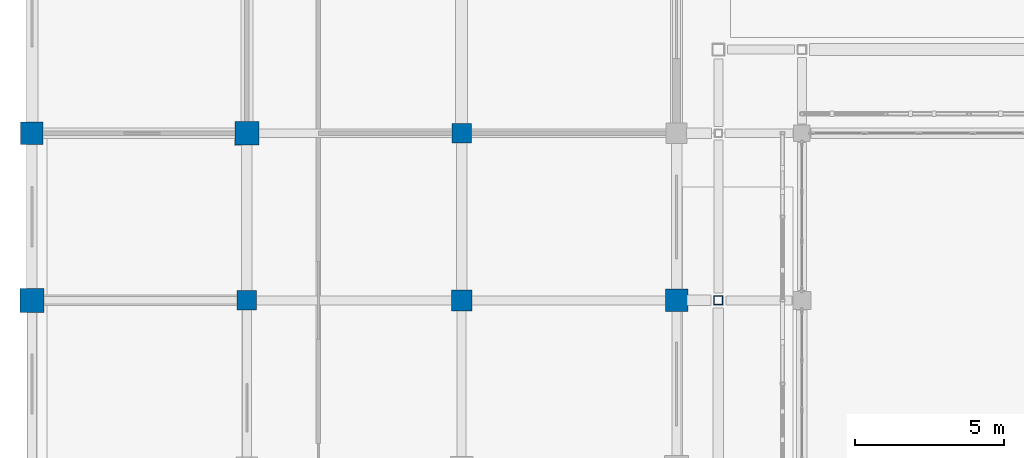
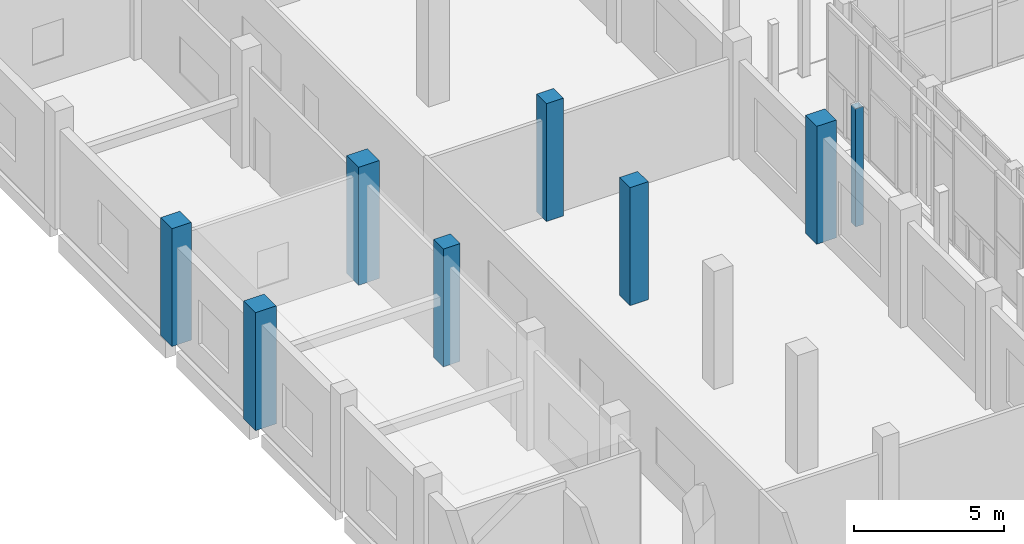
# One storey, part 9 of 91: 8 columns.
"""IFC4 building model written with IfcOpenShell, lengths in metres."""

from ifc_helpers import new_model, si_unit, direction, frame, origin, origin_2d, place, context, subcontext, project, spatial, rectangle, hollow_rectangle, extrude, material, material_profile, profile_set, type_object, element, save


model = new_model("IFC4")

# Units and contexts
model_context = context("Model", 3, precision=1e-05, world=origin(), true_north=direction((0.0, 1.0)))
body_context = subcontext(model_context, "Body", "Model", "MODEL_VIEW")
ifc_project = project(units=[si_unit("LENGTHUNIT", "METRE"), si_unit("AREAUNIT", "SQUARE_METRE"), si_unit("VOLUMEUNIT", "CUBIC_METRE"), si_unit("PLANEANGLEUNIT", "RADIAN"), si_unit("MASSUNIT", "GRAM", prefix="KILO")], contexts=[model_context])

# Site, building, storey
site_placement = place(None, origin())
site = spatial("IfcSite", under=ifc_project, at=site_placement, CompositionType="ELEMENT")
building_placement = place(site_placement, origin())
building = spatial("IfcBuilding", under=site, at=building_placement, Name="Vinh Khe Railworks Police Headquarters", CompositionType="ELEMENT")
storey_placement = place(building_placement, origin())
storey = spatial("IfcBuildingStorey", under=building, at=storey_placement, Name="L00", CompositionType="ELEMENT", Elevation=0.0)

# Columns
ifc_material_1 = material(Name="Concrete C40/50 (B40)", Category="concrete")
ifc_material_profile_1 = material_profile(ifc_material_1, rectangle(XDim=0.64990234375, YDim=0.64990234375, at=origin_2d()), Name="RC 650x650")
ifc_profile_set_1 = profile_set([ifc_material_profile_1], Name="Concrete C40/50 (B40)")
column_type_1 = type_object("IfcColumnType", Name="RC Column RC 650x650", PredefinedType="COLUMN", material=ifc_profile_set_1)
for number, where, z_axis, x_axis, name in (
    (1, (7.800048828125, 53.199951171875, 0.0), (0.0, 0.0, 1.0), (1.0, 0.0, 0.0), "Column COL-L00-CC-04-0235"),
    (2, (15.0, 58.800048828125, 0.0), (0.0, 0.0, 1.0), (1.0, 0.0, 0.0), "Column COL-L00-CC-04-0412"),
):
    element("IfcColumn", number, at=place(storey_placement, frame(where, z_axis=z_axis, x_axis=x_axis)), inside=storey, type_object=column_type_1, Name=name, PredefinedType="COLUMN", context=body_context, shape_type="SweptSolid", body=[
        extrude(rectangle(XDim=0.64990234375, YDim=0.64990234375, at=origin_2d()), origin(), (0.0, 0.0, 1.0), 4.800048828125),
    ])
ifc_material_profile_2 = material_profile(ifc_material_1, rectangle(XDim=0.699951171875, YDim=0.699951171875, at=origin_2d()), Name="RC 700x700")
ifc_profile_set_2 = profile_set([ifc_material_profile_2], Name="Concrete C40/50 (B40)")
column_type_2 = type_object("IfcColumnType", Name="RC Column RC 700x700", PredefinedType="COLUMN", material=ifc_profile_set_2)
column_1_placement = place(storey_placement, frame((15.0, 53.199951171875, 0.0), z_axis=(0.0, 0.0, 1.0), x_axis=(1.0, 0.0, 0.0)))
element("IfcColumn", 3, at=column_1_placement, inside=storey, type_object=column_type_2, Name="Column COL-L00-CC-03-0402", PredefinedType="COLUMN", context=body_context, shape_type="SweptSolid", body=[
    extrude(rectangle(XDim=0.699951171875, YDim=0.699951171875, at=origin_2d()), origin(), (0.0, 0.0, 1.0), 4.800048828125),
])
ifc_material_profile_3 = material_profile(ifc_material_1, rectangle(XDim=0.75, YDim=0.75, at=origin_2d()), Name="RC 750x750")
ifc_profile_set_3 = profile_set([ifc_material_profile_3], Name="Concrete C40/50 (B40)")
column_type_3 = type_object("IfcColumnType", Name="RC Column RC 750x750", PredefinedType="COLUMN", material=ifc_profile_set_3)
for number, where, z_axis, x_axis, name in (
    (4, (0.60009765625, 58.800048828125, 0.0), (0.0, 0.0, 1.0), (1.0, 0.0, 0.0), "Column COL-L00-CC-02-0078"),
    (5, (22.199951171875, 53.199951171875, 0.0), (0.0, 0.0, 1.0), (1.0, 0.0, 0.0), "Column COL-L00-CC-02-0563"),
):
    element("IfcColumn", number, at=place(storey_placement, frame(where, z_axis=z_axis, x_axis=x_axis)), inside=storey, type_object=column_type_3, Name=name, PredefinedType="COLUMN", context=body_context, shape_type="SweptSolid", body=[
        extrude(rectangle(XDim=0.75, YDim=0.75, at=origin_2d()), origin(), (0.0, 0.0, 1.0), 4.800048828125),
    ])
ifc_material_profile_4 = material_profile(ifc_material_1, rectangle(XDim=0.800048828125, YDim=0.800048828125, at=origin_2d()), Name="RC 800x800")
ifc_profile_set_4 = profile_set([ifc_material_profile_4], Name="Concrete C40/50 (B40)")
column_type_4 = type_object("IfcColumnType", Name="RC Column RC 800x800", PredefinedType="COLUMN", material=ifc_profile_set_4)
for number, where, z_axis, x_axis, name in (
    (6, (0.60009765625, 53.199951171875, 0.0), (0.0, 0.0, 1.0), (1.0, 0.0, 0.0), "Column COL-L00-CC-01-0068"),
    (7, (7.800048828125, 58.800048828125, 0.0), (0.0, 0.0, 1.0), (1.0, 0.0, 0.0), "Column COL-L00-CC-01-0245"),
):
    element("IfcColumn", number, at=place(storey_placement, frame(where, z_axis=z_axis, x_axis=x_axis)), inside=storey, type_object=column_type_4, Name=name, PredefinedType="COLUMN", context=body_context, shape_type="SweptSolid", body=[
        extrude(rectangle(XDim=0.800048828125, YDim=0.800048828125, at=origin_2d()), origin(), (0.0, 0.0, 1.0), 4.800048828125),
    ])
ifc_material_2 = material(Name="Steel S355JR", Category="steel")
ifc_material_profile_5 = material_profile(ifc_material_2, hollow_rectangle(XDim=0.300048828125, YDim=0.300048828125, WallThickness=0.01611328125, at=origin_2d()), Name="SHS 300x300x16")
ifc_profile_set_5 = profile_set([ifc_material_profile_5], Name="Steel S355JR")
column_type_5 = type_object("IfcColumnType", Name="Steel Column SHS 300x300x16", PredefinedType="COLUMN", material=ifc_profile_set_5)
column_2_placement = place(storey_placement, frame((23.60009765625, 53.199951171875, 0.0), z_axis=(0.0, 0.0, 1.0), x_axis=(1.0, 0.0, 0.0)))
element("IfcColumn", 8, at=column_2_placement, inside=storey, type_object=column_type_5, Name="Column COL-L00-SC-23-0686", PredefinedType="COLUMN", context=body_context, shape_type="SweptSolid", body=[
    extrude(hollow_rectangle(XDim=0.300048828125, YDim=0.300048828125, WallThickness=0.01611328125, at=origin_2d()), origin(), (0.0, 0.0, 1.0), 4.800048828125),
])

save(model, "model.ifc")
